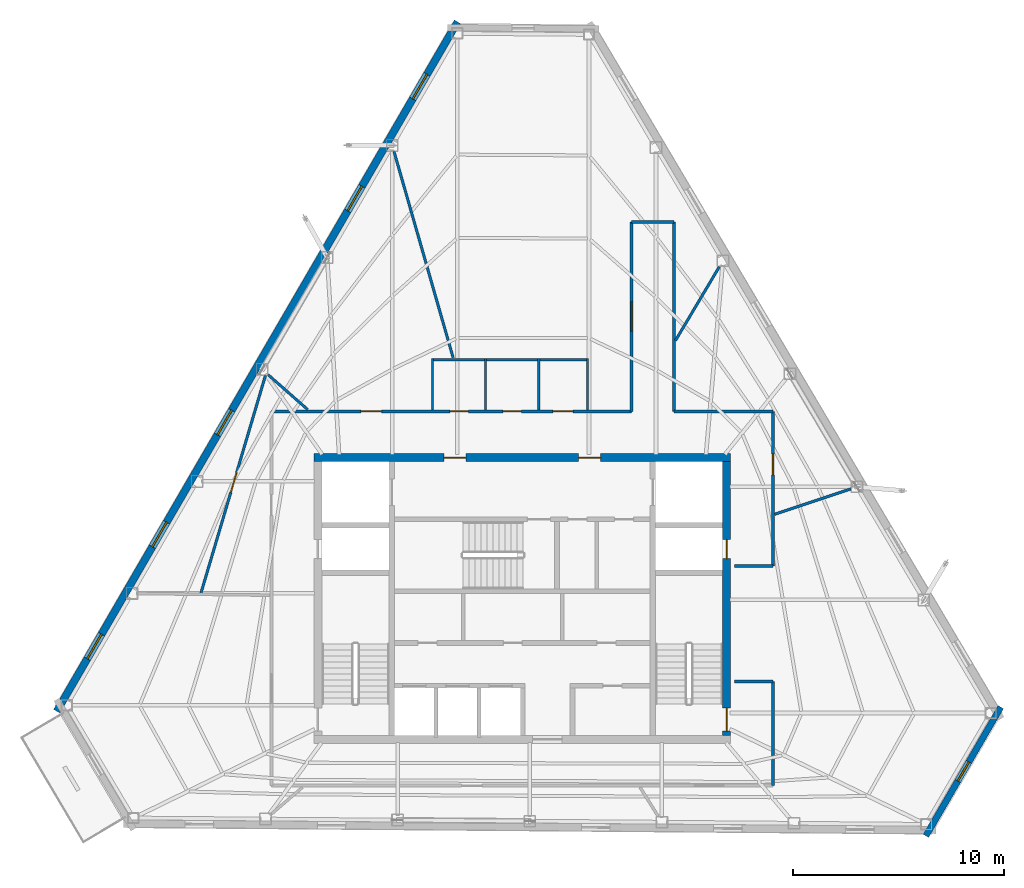
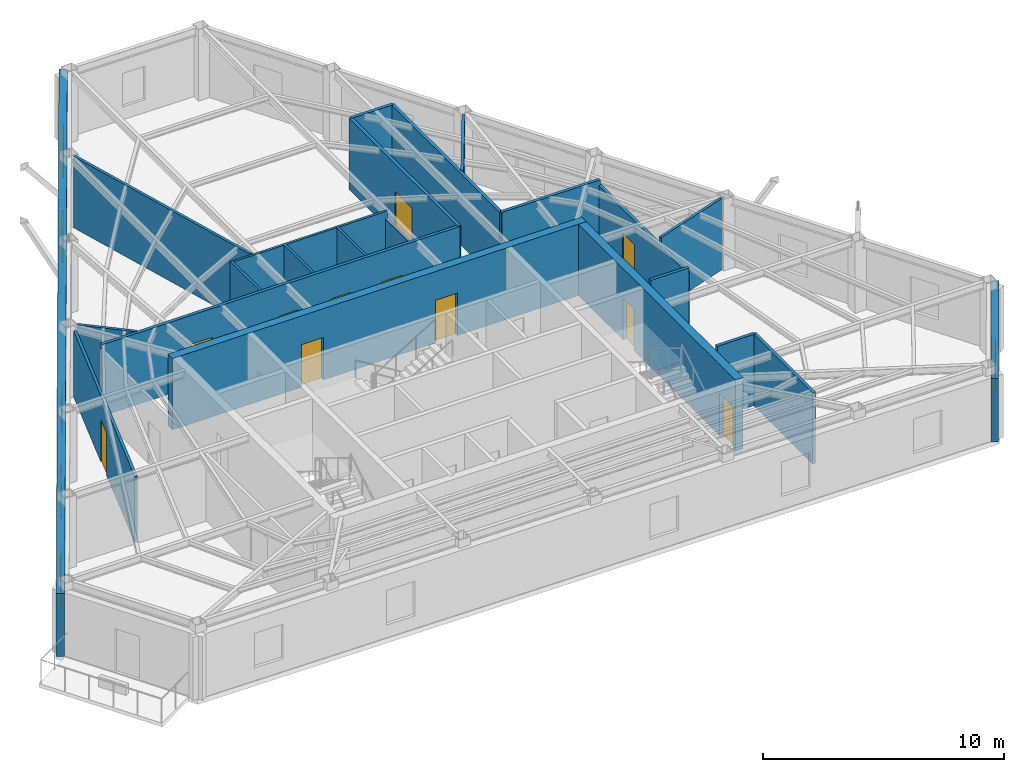
# One storey, part 8 of 10: 23 walls, 11 doors, 6 windows, 17 openings.
"""IFC4 building model written with IfcOpenShell, lengths in metres."""

from ifc_helpers import new_model, si_unit, direction, frame, frame_2d, origin, place, context, subcontext, project, spatial, rectangle, extrude, material, layer, layer_set, type_object, element, fill, save


model = new_model("IFC4")

# Units and contexts
model_context = context("Model", 3, precision=1e-05, world=origin(), true_north=direction((0.0, 1.0)))
body_context = subcontext(model_context, "Body", "Model", "MODEL_VIEW")
ifc_project = project(units=[si_unit("LENGTHUNIT", "METRE"), si_unit("AREAUNIT", "SQUARE_METRE"), si_unit("VOLUMEUNIT", "CUBIC_METRE"), si_unit("PLANEANGLEUNIT", "RADIAN"), si_unit("MASSUNIT", "GRAM", prefix="KILO")], contexts=[model_context])

# Site, building, storey
site_placement = place(None, origin())
site = spatial("IfcSite", under=ifc_project, at=site_placement, CompositionType="ELEMENT")
building_placement = place(site_placement, origin())
building = spatial("IfcBuilding", under=site, at=building_placement, Name="Kavelnor Concourse Tower", CompositionType="ELEMENT")
storey_placement = place(building_placement, frame((0.0, 0.0, 266.449951171875)))
storey = spatial("IfcBuildingStorey", under=building, at=storey_placement, Name="L67", CompositionType="ELEMENT", Elevation=266.449951171875)

# Wall, openings, doors
ifc_material_1 = material(Name="Concrete C50/60", Category="concrete")
ifc_layer_1 = layer(ifc_material_1, 0.3798828125, Name="Concrete C50/60")
ifc_layer_set_1 = layer_set([ifc_layer_1], Name="Concrete C50/60")
wall_type_1 = type_object("IfcWallType", Name="WL-CORE-Z4-380", PredefinedType="SOLIDWALL", material=ifc_layer_set_1)
wall_1_placement = place(storey_placement, frame((28.10009765625, 22.7900390625, 0.0), z_axis=(0.0, 0.0, 1.0), x_axis=(1.0, 0.0, 0.0)))
wall_1 = element("IfcWall", 1, at=wall_1_placement, inside=storey, type_object=wall_type_1, Name="L67 Central Core North Shear Wall", PredefinedType="SOLIDWALL", context=body_context, shape_type="SweptSolid", body=[
    extrude(rectangle(XDim=19.7998046875, YDim=0.3798828125, at=frame_2d((9.89990234375, 0.0))), origin(), (0.0, 0.0, 1.0), 3.610107421875),
])
opening_1_placement = place(wall_1_placement, frame((6.175048828125, 0.0, 0.0)))
opening_1 = element("IfcOpeningElement", 2, at=opening_1_placement, cuts=wall_1, Name="Opening FD-105", PredefinedType="OPENING", context=body_context, shape_type="SweptSolid", body=[
    extrude(rectangle(XDim=1.050048828125, YDim=2.14990234375, at=frame_2d((0.52490234375, 1.074951171875))), frame((0.0, 0.199951171875, 0.0), z_axis=(0.0, -1.0, 0.0), x_axis=(1.0, 0.0, 0.0)), (0.0, 0.0, 1.0), 0.39990234375),
])
opening_2_placement = place(wall_1_placement, frame((12.574951171875, 0.0, 0.0)))
opening_2 = element("IfcOpeningElement", 3, at=opening_2_placement, cuts=wall_1, Name="Opening FD-105", PredefinedType="OPENING", context=body_context, shape_type="SweptSolid", body=[
    extrude(rectangle(XDim=1.050048828125, YDim=2.14990234375, at=frame_2d((0.52490234375, 1.074951171875))), frame((0.0, 0.199951171875, 0.0), z_axis=(0.0, -1.0, 0.0), x_axis=(1.0, 0.0, 0.0)), (0.0, 0.0, 1.0), 0.39990234375),
])
ifc_material_2 = material(Name="Steel Grade 350", Category="steel")
door_type_1 = type_object("IfcDoorType", Name="DR-LOBBY-FIRE-1050", OperationType="NOTDEFINED", PredefinedType="DOOR", material=ifc_material_2)
door_1_placement = place(opening_1_placement, origin())
door_1 = element("IfcDoor", 4, at=door_1_placement, inside=storey, type_object=door_type_1, Name="L67 Emergency Lift Lobby West Door", OperationType="SINGLE_SWING_LEFT", OverallHeight=2.14990234375, OverallWidth=1.050048828125, PredefinedType="DOOR", context=body_context, shape_type="SweptSolid", body=[
    extrude(rectangle(XDim=1.050048828125, YDim=2.14990234375, at=frame_2d((0.52490234375, 1.074951171875))), frame((0.0, 0.02490234375, 0.0), z_axis=(0.0, -1.0, 0.0), x_axis=(1.0, 0.0, 0.0)), (0.0, 0.0, 1.0), 0.050048828125),
])
fill(opening_1, door_1)
door_2_placement = place(opening_2_placement, origin())
door_2 = element("IfcDoor", 5, at=door_2_placement, inside=storey, type_object=door_type_1, Name="L67 Emergency Lift Lobby East Door", OperationType="SINGLE_SWING_RIGHT", OverallHeight=2.14990234375, OverallWidth=1.050048828125, PredefinedType="DOOR", context=body_context, shape_type="SweptSolid", body=[
    extrude(rectangle(XDim=1.050048828125, YDim=2.14990234375, at=frame_2d((0.52490234375, 1.074951171875))), frame((0.0, 0.02490234375, 0.0), z_axis=(0.0, -1.0, 0.0), x_axis=(1.0, 0.0, 0.0)), (0.0, 0.0, 1.0), 0.050048828125),
])
fill(opening_2, door_2)

wall_2_placement = place(storey_placement, frame((47.7099609375, 9.60009765625, 0.0), z_axis=(0.0, 0.0, 1.0), x_axis=(0.0, 1.0, 0.0)))
wall_2 = element("IfcWall", 6, at=wall_2_placement, inside=storey, type_object=wall_type_1, Name="L67 Central Core East Shear Wall", PredefinedType="SOLIDWALL", context=body_context, shape_type="SweptSolid", body=[
    extrude(rectangle(XDim=13.0, YDim=0.3798828125, at=frame_2d((6.5, 0.0))), origin(), (0.0, 0.0, 1.0), 3.610107421875),
])
opening_3_placement = place(wall_2_placement, frame((0.199951171875, 0.0, 0.0)))
opening_3 = element("IfcOpeningElement", 7, at=opening_3_placement, cuts=wall_2, Name="Opening FD-110", PredefinedType="OPENING", context=body_context, shape_type="SweptSolid", body=[
    extrude(rectangle(XDim=1.10009765625, YDim=2.14990234375, at=frame_2d((0.550048828125, 1.074951171875))), frame((0.0, 0.199951171875, 0.0), z_axis=(0.0, -1.0, 0.0), x_axis=(1.0, 0.0, 0.0)), (0.0, 0.0, 1.0), 0.39990234375),
])
opening_4_placement = place(wall_2_placement, frame((8.39990234375, 0.0, 0.0)))
opening_4 = element("IfcOpeningElement", 8, at=opening_4_placement, cuts=wall_2, Name="Opening FD-090", PredefinedType="OPENING", context=body_context, shape_type="SweptSolid", body=[
    extrude(rectangle(XDim=0.89990234375, YDim=2.10009765625, at=frame_2d((0.449951171875, 1.050048828125))), frame((0.0, 0.199951171875, 0.0), z_axis=(0.0, -1.0, 0.0), x_axis=(1.0, 0.0, 0.0)), (0.0, 0.0, 1.0), 0.39990234375),
])
door_type_2 = type_object("IfcDoorType", Name="DR-RISER-FIRE-900", OperationType="NOTDEFINED", PredefinedType="DOOR", material=ifc_material_2)
door_3_placement = place(opening_4_placement, origin())
door_3 = element("IfcDoor", 9, at=door_3_placement, inside=storey, type_object=door_type_2, Name="L67 East Riser Access Door", OperationType="SINGLE_SWING_LEFT", OverallHeight=2.10009765625, OverallWidth=0.89990234375, PredefinedType="DOOR", context=body_context, shape_type="SweptSolid", body=[
    extrude(rectangle(XDim=0.89990234375, YDim=2.10009765625, at=frame_2d((0.449951171875, 1.050048828125))), frame((0.0, 0.02490234375, 0.0), z_axis=(0.0, -1.0, 0.0), x_axis=(1.0, 0.0, 0.0)), (0.0, 0.0, 1.0), 0.050048828125),
])
fill(opening_4, door_3)
door_type_3 = type_object("IfcDoorType", Name="DR-STAIR-FIRE-1100", OperationType="NOTDEFINED", PredefinedType="DOOR", material=ifc_material_2)
door_4_placement = place(opening_3_placement, origin())
door_4 = element("IfcDoor", 10, at=door_4_placement, inside=storey, type_object=door_type_3, Name="L67 Stair ST2 Fire Door", OperationType="SINGLE_SWING_RIGHT", OverallHeight=2.14990234375, OverallWidth=1.10009765625, PredefinedType="DOOR", context=body_context, shape_type="SweptSolid", body=[
    extrude(rectangle(XDim=1.10009765625, YDim=2.14990234375, at=frame_2d((0.550048828125, 1.074951171875))), frame((0.0, 0.02490234375, 0.0), z_axis=(0.0, -1.0, 0.0), x_axis=(1.0, 0.0, 0.0)), (0.0, 0.0, 1.0), 0.050048828125),
])
fill(opening_3, door_4)

# Wall, opening, window
ifc_material_3 = material(Name="Buff ironspot clay face brick masonry", Category="masonry")
ifc_layer_2 = layer(ifc_material_3, 0.300048828125, Name="Buff ironspot clay face brick masonry")
ifc_layer_set_2 = layer_set([ifc_layer_2], Name="Buff ironspot clay face brick masonry")
wall_type_2 = type_object("IfcWallType", Name="WL-EXT-BUFF-BRICK-FOLD-300", PredefinedType="STANDARD", material=ifc_layer_set_2)
wall_3_placement = place(storey_placement, frame((60.72900390625, 10.9423828125, 0.0), z_axis=(0.0, 0.0, 1.0), x_axis=(-0.502595863652, -0.864521484892, 0.0)))
wall_3 = element("IfcWall", 11, at=wall_3_placement, inside=storey, type_object=wall_type_2, Name="L67 Exterior Brick Facade Wall E4", PredefinedType="STANDARD", context=body_context, shape_type="SweptSolid", body=[
    extrude(rectangle(XDim=7.07421875, YDim=0.300048828125, at=frame_2d((3.537109375, 0.0))), origin(), (0.0, 0.0, 1.0), 3.196044921875),
])
opening_5_placement = place(wall_3_placement, frame((3.011962890625, 0.0, 0.64990234375)))
opening_5 = element("IfcOpeningElement", 12, at=opening_5_placement, cuts=wall_3, Name="Opening W-06", PredefinedType="OPENING", context=body_context, shape_type="SweptSolid", body=[
    extrude(rectangle(XDim=1.050048828125, YDim=1.699951171875, at=frame_2d((0.52490234375, 0.85009765625))), frame((0.0, 0.16015625, 0.0), z_axis=(0.0, -1.0, 0.0), x_axis=(1.0, 0.0, 0.0)), (0.0, 0.0, 1.0), 0.320068359375),
])
ifc_material_4 = material(Name="Double low-E argon insulated glazing", Category="glass")
window_type_1 = type_object("IfcWindowType", Name="WIN-FOLD-1050", PartitioningType="SINGLE_PANEL", PredefinedType="WINDOW", material=ifc_material_4)
window_1_placement = place(opening_5_placement, origin())
window_1 = element("IfcWindow", 13, at=window_1_placement, inside=storey, type_object=window_type_1, Name="L67 Chamfer-Fold Facet Window C2", OverallHeight=1.699951171875, OverallWidth=1.050048828125, PartitioningType="SINGLE_PANEL", PredefinedType="WINDOW", context=body_context, shape_type="SweptSolid", body=[
    extrude(rectangle(XDim=1.050048828125, YDim=1.699951171875, at=frame_2d((0.52490234375, 0.85009765625))), frame((0.0, 0.030029296875, 0.0), z_axis=(0.0, -1.0, 0.0), x_axis=(1.0, 0.0, 0.0)), (0.0, 0.0, 1.0), 0.06005859375),
])
fill(opening_5, window_1)

# Wall, openings, windows
ifc_material_5 = material(Name="Red-ochre clay face brick masonry", Category="masonry")
ifc_layer_3 = layer(ifc_material_5, 0.35009765625, Name="Red-ochre clay face brick masonry")
ifc_layer_set_3 = layer_set([ifc_layer_3], Name="Red-ochre clay face brick masonry")
wall_type_3 = type_object("IfcWallType", Name="WL-EXT-RED-BRICK-PIER-350", PredefinedType="STANDARD", material=ifc_layer_set_3)
wall_4_placement = place(storey_placement, frame((15.893798828125, 10.7451171875, 0.0), z_axis=(0.0, 0.0, 1.0), x_axis=(0.502581466224, 0.864529854781, 0.0)))
wall_4 = element("IfcWall", 14, at=wall_4_placement, inside=storey, type_object=wall_type_3, Name="L67 Exterior Brick Facade Wall E1", PredefinedType="STANDARD", context=body_context, shape_type="SweptSolid", body=[
    extrude(rectangle(XDim=37.872802734375, YDim=0.35009765625, at=frame_2d((18.9365234375, 0.0))), origin(), (0.0, 0.0, 1.0), 3.196044921875),
])
opening_6_placement = place(wall_4_placement, frame((33.64306640625, 0.0, 0.64990234375)))
opening_6 = element("IfcOpeningElement", 15, at=opening_6_placement, cuts=wall_4, Name="Opening W-04", PredefinedType="OPENING", context=body_context, shape_type="SweptSolid", body=[
    extrude(rectangle(XDim=1.35009765625, YDim=1.75, at=frame_2d((0.675048828125, 0.875))), frame((0.0, 0.18505859375, 0.0), z_axis=(0.0, -1.0, 0.0), x_axis=(1.0, 0.0, 0.0)), (0.0, 0.0, 1.0), 0.3701171875),
])
opening_7_placement = place(wall_4_placement, frame((27.490966796875, 0.0, 0.64990234375)))
opening_7 = element("IfcOpeningElement", 16, at=opening_7_placement, cuts=wall_4, Name="Opening W-04", PredefinedType="OPENING", context=body_context, shape_type="SweptSolid", body=[
    extrude(rectangle(XDim=1.35009765625, YDim=1.75, at=frame_2d((0.675048828125, 0.875))), frame((0.0, 0.18505859375, 0.0), z_axis=(0.0, -1.0, 0.0), x_axis=(1.0, 0.0, 0.0)), (0.0, 0.0, 1.0), 0.3701171875),
])
opening_8_placement = place(wall_4_placement, frame((15.186767578125, 0.0, 0.64990234375)))
opening_8 = element("IfcOpeningElement", 17, at=opening_8_placement, cuts=wall_4, Name="Opening W-04", PredefinedType="OPENING", context=body_context, shape_type="SweptSolid", body=[
    extrude(rectangle(XDim=1.35009765625, YDim=1.75, at=frame_2d((0.675048828125, 0.875))), frame((0.0, 0.18505859375, 0.0), z_axis=(0.0, -1.0, 0.0), x_axis=(1.0, 0.0, 0.0)), (0.0, 0.0, 1.0), 0.3701171875),
])
opening_9_placement = place(wall_4_placement, frame((9.03466796875, 0.0, 0.64990234375)))
opening_9 = element("IfcOpeningElement", 18, at=opening_9_placement, cuts=wall_4, Name="Opening W-04", PredefinedType="OPENING", context=body_context, shape_type="SweptSolid", body=[
    extrude(rectangle(XDim=1.35009765625, YDim=1.75, at=frame_2d((0.675048828125, 0.875))), frame((0.0, 0.18505859375, 0.0), z_axis=(0.0, -1.0, 0.0), x_axis=(1.0, 0.0, 0.0)), (0.0, 0.0, 1.0), 0.3701171875),
])
opening_10_placement = place(wall_4_placement, frame((2.882568359375, 0.0, 0.64990234375)))
opening_10 = element("IfcOpeningElement", 19, at=opening_10_placement, cuts=wall_4, Name="Opening W-04", PredefinedType="OPENING", context=body_context, shape_type="SweptSolid", body=[
    extrude(rectangle(XDim=1.35009765625, YDim=1.75, at=frame_2d((0.675048828125, 0.875))), frame((0.0, 0.18505859375, 0.0), z_axis=(0.0, -1.0, 0.0), x_axis=(1.0, 0.0, 0.0)), (0.0, 0.0, 1.0), 0.3701171875),
])
window_type_2 = type_object("IfcWindowType", Name="WIN-PIER-Z4-1350", PartitioningType="SINGLE_PANEL", PredefinedType="WINDOW", material=ifc_material_4)
window_2_placement = place(opening_6_placement, origin())
window_2 = element("IfcWindow", 20, at=window_2_placement, inside=storey, type_object=window_type_2, Name="L67 Deep-Set Brick Pier Window F0-B0", OverallHeight=1.75, OverallWidth=1.35009765625, PartitioningType="SINGLE_PANEL", PredefinedType="WINDOW", context=body_context, shape_type="SweptSolid", body=[
    extrude(rectangle(XDim=1.35009765625, YDim=1.75, at=frame_2d((0.675048828125, 0.875))), frame((0.0, 0.030029296875, 0.0), z_axis=(0.0, -1.0, 0.0), x_axis=(1.0, 0.0, 0.0)), (0.0, 0.0, 1.0), 0.06005859375),
])
fill(opening_6, window_2)
window_3_placement = place(opening_7_placement, origin())
window_3 = element("IfcWindow", 21, at=window_3_placement, inside=storey, type_object=window_type_2, Name="L67 Deep-Set Brick Pier Window F0-B1", OverallHeight=1.75, OverallWidth=1.35009765625, PartitioningType="SINGLE_PANEL", PredefinedType="WINDOW", context=body_context, shape_type="SweptSolid", body=[
    extrude(rectangle(XDim=1.35009765625, YDim=1.75, at=frame_2d((0.675048828125, 0.875))), frame((0.0, 0.030029296875, 0.0), z_axis=(0.0, -1.0, 0.0), x_axis=(1.0, 0.0, 0.0)), (0.0, 0.0, 1.0), 0.06005859375),
])
fill(opening_7, window_3)
window_4_placement = place(opening_8_placement, origin())
window_4 = element("IfcWindow", 22, at=window_4_placement, inside=storey, type_object=window_type_2, Name="L67 Deep-Set Brick Pier Window F0-B3", OverallHeight=1.75, OverallWidth=1.35009765625, PartitioningType="SINGLE_PANEL", PredefinedType="WINDOW", context=body_context, shape_type="SweptSolid", body=[
    extrude(rectangle(XDim=1.35009765625, YDim=1.75, at=frame_2d((0.675048828125, 0.875))), frame((0.0, 0.030029296875, 0.0), z_axis=(0.0, -1.0, 0.0), x_axis=(1.0, 0.0, 0.0)), (0.0, 0.0, 1.0), 0.06005859375),
])
fill(opening_8, window_4)
window_5_placement = place(opening_9_placement, origin())
window_5 = element("IfcWindow", 23, at=window_5_placement, inside=storey, type_object=window_type_2, Name="L67 Deep-Set Brick Pier Window F0-B4", OverallHeight=1.75, OverallWidth=1.35009765625, PartitioningType="SINGLE_PANEL", PredefinedType="WINDOW", context=body_context, shape_type="SweptSolid", body=[
    extrude(rectangle(XDim=1.35009765625, YDim=1.75, at=frame_2d((0.675048828125, 0.875))), frame((0.0, 0.030029296875, 0.0), z_axis=(0.0, -1.0, 0.0), x_axis=(1.0, 0.0, 0.0)), (0.0, 0.0, 1.0), 0.06005859375),
])
fill(opening_9, window_5)
window_6_placement = place(opening_10_placement, origin())
window_6 = element("IfcWindow", 24, at=window_6_placement, inside=storey, type_object=window_type_2, Name="L67 Deep-Set Brick Pier Window F0-B5", OverallHeight=1.75, OverallWidth=1.35009765625, PartitioningType="SINGLE_PANEL", PredefinedType="WINDOW", context=body_context, shape_type="SweptSolid", body=[
    extrude(rectangle(XDim=1.35009765625, YDim=1.75, at=frame_2d((0.675048828125, 0.875))), frame((0.0, 0.030029296875, 0.0), z_axis=(0.0, -1.0, 0.0), x_axis=(1.0, 0.0, 0.0)), (0.0, 0.0, 1.0), 0.06005859375),
])
fill(opening_10, window_6)

# Wall, opening, door
ifc_material_6 = material(Name="Gypsum plasterboard on light-gauge steel studs", Category="steel")
ifc_layer_4 = layer(ifc_material_6, 0.14501953125, Name="Gypsum plasterboard on light-gauge steel studs")
ifc_layer_set_4 = layer_set([ifc_layer_4], Name="Gypsum plasterboard on light-gauge steel studs")
wall_type_4 = type_object("IfcWallType", Name="WL-INT-CORR-145", PredefinedType="PARTITIONING", material=ifc_layer_set_4)
wall_5_placement = place(storey_placement, frame((43.199951171875, 24.989990234375, 0.0), z_axis=(0.0, 0.0, 1.0), x_axis=(0.0, 1.0, 0.0)))
wall_5 = element("IfcWall", 25, at=wall_5_placement, inside=storey, type_object=wall_type_4, Name="L67 Corridor Wall WL-L67-CR-01", PredefinedType="PARTITIONING", context=body_context, shape_type="SweptSolid", body=[
    extrude(rectangle(XDim=8.99853515625, YDim=0.14501953125, at=frame_2d((4.499267578125, 0.0))), origin(), (0.0, 0.0, 1.0), 3.610107421875),
])
opening_11_placement = place(wall_5_placement, frame((3.79931640625, 0.0, 0.0)))
opening_11 = element("IfcOpeningElement", 26, at=opening_11_placement, cuts=wall_5, Name="Opening SD-140", PredefinedType="OPENING", context=body_context, shape_type="SweptSolid", body=[
    extrude(rectangle(XDim=1.39990234375, YDim=2.199951171875, at=frame_2d((0.699951171875, 1.10009765625))), frame((0.0, 0.08251953125, 0.0), z_axis=(0.0, -1.0, 0.0), x_axis=(1.0, 0.0, 0.0)), (0.0, 0.0, 1.0), 0.1650390625),
])
ifc_material_7 = material(Name="Solid-core hardwood timber", Category="wood")
door_type_4 = type_object("IfcDoorType", Name="DR-SUITE-ENTRY-1400", OperationType="NOTDEFINED", PredefinedType="DOOR", material=ifc_material_7)
door_5_placement = place(opening_11_placement, origin())
door_5 = element("IfcDoor", 27, at=door_5_placement, inside=storey, type_object=door_type_4, Name="L67 Architectural Design Studio 02 Door", OperationType="SINGLE_SWING_RIGHT", OverallHeight=2.199951171875, OverallWidth=1.39990234375, PredefinedType="DOOR", context=body_context, shape_type="SweptSolid", body=[
    extrude(rectangle(XDim=1.39990234375, YDim=2.199951171875, at=frame_2d((0.699951171875, 1.10009765625))), frame((0.0, 0.02490234375, 0.0), z_axis=(0.0, -1.0, 0.0), x_axis=(1.0, 0.0, 0.0)), (0.0, 0.0, 1.0), 0.050048828125),
])
fill(opening_11, door_5)

# Walls
wall_6_placement = place(storey_placement, frame((43.199951171875, 33.988525390625, 0.0), z_axis=(0.0, 0.0, 1.0), x_axis=(1.0, 0.0, 0.0)))
element("IfcWall", 28, at=wall_6_placement, inside=storey, type_object=wall_type_4, Name="L67 Corridor Wall WL-L67-CR-02", PredefinedType="PARTITIONING", context=body_context, shape_type="SweptSolid", body=[
    extrude(rectangle(XDim=2.0, YDim=0.14501953125, at=frame_2d((1.0, 0.0))), origin(), (0.0, 0.0, 1.0), 3.610107421875),
])
wall_7_placement = place(storey_placement, frame((45.199951171875, 33.988525390625, 0.0), z_axis=(0.0, 0.0, 1.0), x_axis=(0.0, -1.0, 0.0)))
element("IfcWall", 29, at=wall_7_placement, inside=storey, type_object=wall_type_4, Name="L67 Corridor Wall WL-L67-CR-03", PredefinedType="PARTITIONING", context=body_context, shape_type="SweptSolid", body=[
    extrude(rectangle(XDim=8.99853515625, YDim=0.14501953125, at=frame_2d((4.499267578125, 0.0))), origin(), (0.0, 0.0, 1.0), 3.610107421875),
])
wall_8_placement = place(storey_placement, frame((45.199951171875, 24.989990234375, 0.0), z_axis=(0.0, 0.0, 1.0), x_axis=(1.0, 0.0, 0.0)))
element("IfcWall", 30, at=wall_8_placement, inside=storey, type_object=wall_type_4, Name="L67 Corridor Wall WL-L67-CR-04", PredefinedType="PARTITIONING", context=body_context, shape_type="SweptSolid", body=[
    extrude(rectangle(XDim=4.7099609375, YDim=0.14501953125, at=frame_2d((2.35498046875, 0.0))), origin(), (0.0, 0.0, 1.0), 3.610107421875),
])

# Wall, opening, door
wall_9_placement = place(storey_placement, frame((49.909912109375, 24.989990234375, 0.0), z_axis=(0.0, 0.0, 1.0), x_axis=(0.0, -1.0, 0.0)))
wall_9 = element("IfcWall", 31, at=wall_9_placement, inside=storey, type_object=wall_type_4, Name="L67 Corridor Wall WL-L67-CR-05", PredefinedType="PARTITIONING", context=body_context, shape_type="SweptSolid", body=[
    extrude(rectangle(XDim=7.340087890625, YDim=0.14501953125, at=frame_2d((3.669921875, 0.0))), origin(), (0.0, 0.0, 1.0), 3.34912109375),
])
opening_12_placement = place(wall_9_placement, frame((2.03759765625, 0.0, 0.0)))
opening_12 = element("IfcOpeningElement", 32, at=opening_12_placement, cuts=wall_9, Name="Opening OD-098", PredefinedType="OPENING", context=body_context, shape_type="SweptSolid", body=[
    extrude(rectangle(XDim=0.97998046875, YDim=2.14990234375, at=frame_2d((0.489990234375, 1.074951171875))), frame((0.0, 0.08251953125, 0.0), z_axis=(0.0, -1.0, 0.0), x_axis=(1.0, 0.0, 0.0)), (0.0, 0.0, 1.0), 0.1650390625),
])
door_type_5 = type_object("IfcDoorType", Name="DR-OFFICE-980", OperationType="NOTDEFINED", PredefinedType="DOOR", material=ifc_material_7)
door_6_placement = place(opening_12_placement, origin())
door_6 = element("IfcDoor", 33, at=door_6_placement, inside=storey, type_object=door_type_5, Name="L67 Client Concierge 01 Door", OperationType="SINGLE_SWING_LEFT", OverallHeight=2.14990234375, OverallWidth=0.97998046875, PredefinedType="DOOR", context=body_context, shape_type="SweptSolid", body=[
    extrude(rectangle(XDim=0.97998046875, YDim=2.14990234375, at=frame_2d((0.489990234375, 1.074951171875))), frame((0.0, 0.02490234375, 0.0), z_axis=(0.0, -1.0, 0.0), x_axis=(1.0, 0.0, 0.0)), (0.0, 0.0, 1.0), 0.050048828125),
])
fill(opening_12, door_6)

# Walls
for number, where, z_axis, x_axis, name in (
    (34, (49.909912109375, 17.64990234375, 0.0), (0.0, 0.0, 1.0), (-1.0, 0.0, 0.0), "L67 Corridor Wall WL-L67-CR-06"),
    (35, (48.090087890625, 12.14990234375, 0.0), (0.0, 0.0, 1.0), (1.0, 0.0, 0.0), "L67 Corridor Wall WL-L67-CR-07"),
):
    element("IfcWall", number, at=place(storey_placement, frame(where, z_axis=z_axis, x_axis=x_axis)), inside=storey, type_object=wall_type_4, Name=name, PredefinedType="PARTITIONING", context=body_context, shape_type="SweptSolid", body=[
        extrude(rectangle(XDim=1.81982421875, YDim=0.14501953125, at=frame_2d((0.909912109375, 0.0))), origin(), (0.0, 0.0, 1.0), 3.610107421875),
    ])
wall_10_placement = place(storey_placement, frame((49.909912109375, 12.14990234375, 0.0), z_axis=(0.0, 0.0, 1.0), x_axis=(0.0, -1.0, 0.0)))
element("IfcWall", 36, at=wall_10_placement, inside=storey, type_object=wall_type_4, Name="L67 Corridor Wall WL-L67-CR-08", PredefinedType="PARTITIONING", context=body_context, shape_type="SweptSolid", body=[
    extrude(rectangle(XDim=4.93994140625, YDim=0.14501953125, at=frame_2d((2.469970703125, 0.0))), origin(), (0.0, 0.0, 1.0), 3.610107421875),
])

# Wall, openings, doors
wall_11_placement = place(storey_placement, frame((26.090087890625, 24.989990234375, 0.0), z_axis=(0.0, 0.0, 1.0), x_axis=(1.0, 0.0, 0.0)))
wall_11 = element("IfcWall", 37, at=wall_11_placement, inside=storey, type_object=wall_type_4, Name="L67 Corridor Wall WL-L67-CR-11", PredefinedType="PARTITIONING", context=body_context, shape_type="SweptSolid", body=[
    extrude(rectangle(XDim=17.10986328125, YDim=0.14501953125, at=frame_2d((8.554931640625, 0.0))), origin(), (0.0, 0.0, 1.0), 3.610107421875),
])
opening_13_placement = place(wall_11_placement, frame((8.469970703125, 0.0, 0.0)))
opening_13 = element("IfcOpeningElement", 38, at=opening_13_placement, cuts=wall_11, Name="Opening WD-088", PredefinedType="OPENING", context=body_context, shape_type="SweptSolid", body=[
    extrude(rectangle(XDim=0.8798828125, YDim=2.10009765625, at=frame_2d((0.43994140625, 1.050048828125))), frame((0.0, 0.08251953125, 0.0), z_axis=(0.0, -1.0, 0.0), x_axis=(1.0, 0.0, 0.0)), (0.0, 0.0, 1.0), 0.1650390625),
])
opening_14_placement = place(wall_11_placement, frame((10.989990234375, 0.0, 0.0)))
opening_14 = element("IfcOpeningElement", 39, at=opening_14_placement, cuts=wall_11, Name="Opening WD-088", PredefinedType="OPENING", context=body_context, shape_type="SweptSolid", body=[
    extrude(rectangle(XDim=0.8798828125, YDim=2.10009765625, at=frame_2d((0.43994140625, 1.050048828125))), frame((0.0, 0.08251953125, 0.0), z_axis=(0.0, -1.0, 0.0), x_axis=(1.0, 0.0, 0.0)), (0.0, 0.0, 1.0), 0.1650390625),
])
opening_15_placement = place(wall_11_placement, frame((13.3701171875, 0.0, 0.0)))
opening_15 = element("IfcOpeningElement", 40, at=opening_15_placement, cuts=wall_11, Name="Opening WD-096", PredefinedType="OPENING", context=body_context, shape_type="SweptSolid", body=[
    extrude(rectangle(XDim=0.9599609375, YDim=2.10009765625, at=frame_2d((0.47998046875, 1.050048828125))), frame((0.0, 0.08251953125, 0.0), z_axis=(0.0, -1.0, 0.0), x_axis=(1.0, 0.0, 0.0)), (0.0, 0.0, 1.0), 0.1650390625),
])
opening_16_placement = place(wall_11_placement, frame((4.252685546875, 0.0, 0.0)))
opening_16 = element("IfcOpeningElement", 41, at=opening_16_placement, cuts=wall_11, Name="Opening OD-098", PredefinedType="OPENING", context=body_context, shape_type="SweptSolid", body=[
    extrude(rectangle(XDim=0.97998046875, YDim=2.14990234375, at=frame_2d((0.489990234375, 1.074951171875))), frame((0.0, 0.08251953125, 0.0), z_axis=(0.0, -1.0, 0.0), x_axis=(1.0, 0.0, 0.0)), (0.0, 0.0, 1.0), 0.1650390625),
])
door_7_placement = place(opening_16_placement, origin())
door_7 = element("IfcDoor", 42, at=door_7_placement, inside=storey, type_object=door_type_5, Name="L67 Executive Dining Room 03 Door", OperationType="SINGLE_SWING_LEFT", OverallHeight=2.14990234375, OverallWidth=0.97998046875, PredefinedType="DOOR", context=body_context, shape_type="SweptSolid", body=[
    extrude(rectangle(XDim=0.97998046875, YDim=2.14990234375, at=frame_2d((0.489990234375, 1.074951171875))), frame((0.0, 0.02490234375, 0.0), z_axis=(0.0, -1.0, 0.0), x_axis=(1.0, 0.0, 0.0)), (0.0, 0.0, 1.0), 0.050048828125),
])
fill(opening_16, door_7)
door_type_6 = type_object("IfcDoorType", Name="DR-WC-ACC-960", OperationType="NOTDEFINED", PredefinedType="DOOR", material=ifc_material_7)
door_8_placement = place(opening_15_placement, origin())
door_8 = element("IfcDoor", 43, at=door_8_placement, inside=storey, type_object=door_type_6, Name="L67 Accessible WC Door", OperationType="SINGLE_SWING_RIGHT", OverallHeight=2.10009765625, OverallWidth=0.9599609375, PredefinedType="DOOR", context=body_context, shape_type="SweptSolid", body=[
    extrude(rectangle(XDim=0.9599609375, YDim=2.10009765625, at=frame_2d((0.47998046875, 1.050048828125))), frame((0.0, 0.02490234375, 0.0), z_axis=(0.0, -1.0, 0.0), x_axis=(1.0, 0.0, 0.0)), (0.0, 0.0, 1.0), 0.050048828125),
])
fill(opening_15, door_8)
door_type_7 = type_object("IfcDoorType", Name="DR-WC-STD-880", OperationType="NOTDEFINED", PredefinedType="DOOR", material=ifc_material_7)
door_9_placement = place(opening_13_placement, origin())
door_9 = element("IfcDoor", 44, at=door_9_placement, inside=storey, type_object=door_type_7, Name="L67 Male WC Door", OperationType="SINGLE_SWING_RIGHT", OverallHeight=2.10009765625, OverallWidth=0.8798828125, PredefinedType="DOOR", context=body_context, shape_type="SweptSolid", body=[
    extrude(rectangle(XDim=0.8798828125, YDim=2.10009765625, at=frame_2d((0.43994140625, 1.050048828125))), frame((0.0, 0.02490234375, 0.0), z_axis=(0.0, -1.0, 0.0), x_axis=(1.0, 0.0, 0.0)), (0.0, 0.0, 1.0), 0.050048828125),
])
fill(opening_13, door_9)
door_10_placement = place(opening_14_placement, origin())
door_10 = element("IfcDoor", 45, at=door_10_placement, inside=storey, type_object=door_type_7, Name="L67 Female WC Door", OperationType="SINGLE_SWING_LEFT", OverallHeight=2.10009765625, OverallWidth=0.8798828125, PredefinedType="DOOR", context=body_context, shape_type="SweptSolid", body=[
    extrude(rectangle(XDim=0.8798828125, YDim=2.10009765625, at=frame_2d((0.43994140625, 1.050048828125))), frame((0.0, 0.02490234375, 0.0), z_axis=(0.0, -1.0, 0.0), x_axis=(1.0, 0.0, 0.0)), (0.0, 0.0, 1.0), 0.050048828125),
])
fill(opening_14, door_10)

# Walls
ifc_layer_5 = layer(ifc_material_6, 0.125, Name="Gypsum plasterboard on light-gauge steel studs")
ifc_layer_set_5 = layer_set([ifc_layer_5], Name="Gypsum plasterboard on light-gauge steel studs")
wall_type_5 = type_object("IfcWallType", Name="WL-INT-SUITE-125", PredefinedType="PARTITIONING", material=ifc_layer_set_5)
wall_12_placement = place(storey_placement, frame((49.990478515625, 20.101318359375, 0.0), z_axis=(0.0, 0.0, 1.0), x_axis=(0.948580747424, 0.316535251774, 0.0)))
element("IfcWall", 46, at=wall_12_placement, inside=storey, type_object=wall_type_5, Name="L67 Radial Suite Partition 01", PredefinedType="PARTITIONING", context=body_context, shape_type="SweptSolid", body=[
    extrude(rectangle(XDim=3.81103515625, YDim=0.125, at=frame_2d((1.905517578125, 0.0))), origin(), (0.0, 0.0, 1.0), 3.610107421875),
])
wall_13_placement = place(storey_placement, frame((45.280517578125, 28.35400390625, 0.0), z_axis=(0.0, 0.0, 1.0), x_axis=(0.510808625208, 0.859694450612, 0.0)))
element("IfcWall", 47, at=wall_13_placement, inside=storey, type_object=wall_type_5, Name="L67 Radial Suite Partition 02", PredefinedType="PARTITIONING", context=body_context, shape_type="SweptSolid", body=[
    extrude(rectangle(XDim=4.075439453125, YDim=0.125, at=frame_2d((2.03759765625, 0.0))), origin(), (0.0, 0.0, 1.0), 3.610107421875),
])
wall_14_placement = place(storey_placement, frame((34.71923828125, 27.5400390625, 0.0), z_axis=(0.0, 0.0, 1.0), x_axis=(-0.275667544418, 0.961253038983, 0.0)))
element("IfcWall", 48, at=wall_14_placement, inside=storey, type_object=wall_type_5, Name="L67 Radial Suite Partition 03", PredefinedType="PARTITIONING", context=body_context, shape_type="SweptSolid", body=[
    extrude(rectangle(XDim=10.185791015625, YDim=0.125, at=frame_2d((5.0927734375, 0.0))), origin(), (0.0, 0.0, 1.0), 3.610107421875),
])
wall_15_placement = place(storey_placement, frame((27.81494140625, 25.070556640625, 0.0), z_axis=(0.0, 0.0, 1.0), x_axis=(-0.750425677114, 0.660954841973, 0.0)))
element("IfcWall", 49, at=wall_15_placement, inside=storey, type_object=wall_type_5, Name="L67 Radial Suite Partition 04", PredefinedType="PARTITIONING", context=body_context, shape_type="SweptSolid", body=[
    extrude(rectangle(XDim=2.5078125, YDim=0.125, at=frame_2d((1.25390625, 0.0))), origin(), (0.0, 0.0, 1.0), 3.610107421875),
])

# Wall, opening, door
wall_16_placement = place(storey_placement, frame((25.805908203125, 26.693603515625, 0.0), z_axis=(0.0, 0.0, 1.0), x_axis=(-0.28412826647, -0.958786278684, 0.0)))
wall_16 = element("IfcWall", 50, at=wall_16_placement, inside=storey, type_object=wall_type_5, Name="L67 Suite Subdivision Partition 04", PredefinedType="PARTITIONING", context=body_context, shape_type="SweptSolid", body=[
    extrude(rectangle(XDim=10.8232421875, YDim=0.125, at=frame_2d((5.41162109375, 0.0))), origin(), (0.0, 0.0, 1.0), 3.34912109375),
])
opening_17_placement = place(wall_16_placement, frame((4.81396484375, 0.0, 0.0)))
opening_17 = element("IfcOpeningElement", 51, at=opening_17_placement, cuts=wall_16, Name="Opening OD-098", PredefinedType="OPENING", context=body_context, shape_type="SweptSolid", body=[
    extrude(rectangle(XDim=0.97998046875, YDim=2.14990234375, at=frame_2d((0.489990234375, 1.074951171875))), frame((0.0, 0.072509765625, 0.0), z_axis=(0.0, -1.0, 0.0), x_axis=(1.0, 0.0, 0.0)), (0.0, 0.0, 1.0), 0.14501953125),
])
door_11_placement = place(opening_17_placement, origin())
door_11 = element("IfcDoor", 52, at=door_11_placement, inside=storey, type_object=door_type_5, Name="L67 Client Concierge 05 Door", OperationType="SINGLE_SWING_LEFT", OverallHeight=2.14990234375, OverallWidth=0.97998046875, PredefinedType="DOOR", context=body_context, shape_type="SweptSolid", body=[
    extrude(rectangle(XDim=0.97998046875, YDim=2.14990234375, at=frame_2d((0.489990234375, 1.074951171875))), frame((0.0, 0.02490234375, 0.0), z_axis=(0.0, -1.0, 0.0), x_axis=(1.0, 0.0, 0.0)), (0.0, 0.0, 1.0), 0.050048828125),
])
fill(opening_17, door_11)

# Walls
ifc_layer_6 = layer(ifc_material_6, 0.110107421875, Name="Gypsum plasterboard on light-gauge steel studs")
ifc_layer_set_6 = layer_set([ifc_layer_6], Name="Gypsum plasterboard on light-gauge steel studs")
wall_type_6 = type_object("IfcWallType", Name="WL-INT-WC-110", PredefinedType="PLUMBINGWALL", material=ifc_layer_set_6)
for number, where, z_axis, x_axis, name in (
    (53, (33.739990234375, 25.06005859375, 0.0), (0.0, 0.0, 1.0), (0.0, 1.0, 0.0), "L67 Sanitary Partition WL-L67-WC-W"),
    (54, (36.260009765625, 25.06005859375, 0.0), (0.0, 0.0, 1.0), (0.0, 1.0, 0.0), "L67 Sanitary Partition WL-L67-WC-D1"),
    (55, (38.780029296875, 25.06005859375, 0.0), (0.0, 0.0, 1.0), (0.0, 1.0, 0.0), "L67 Sanitary Partition WL-L67-WC-D2"),
):
    element("IfcWall", number, at=place(storey_placement, frame(where, z_axis=z_axis, x_axis=x_axis)), inside=storey, type_object=wall_type_6, Name=name, PredefinedType="PLUMBINGWALL", context=body_context, shape_type="SweptSolid", body=[
        extrude(rectangle(XDim=2.43994140625, YDim=0.110107421875, at=frame_2d((1.219970703125, 0.0))), origin(), (0.0, 0.0, 1.0), 3.610107421875),
    ])
wall_17_placement = place(storey_placement, frame((41.10009765625, 25.06005859375, 0.0), z_axis=(0.0, 0.0, 1.0), x_axis=(0.0, 1.0, 0.0)))
element("IfcWall", 56, at=wall_17_placement, inside=storey, type_object=wall_type_6, Name="L67 Sanitary Partition WL-L67-WC-E", PredefinedType="PLUMBINGWALL", context=body_context, shape_type="SweptSolid", body=[
    extrude(rectangle(XDim=2.43994140625, YDim=0.110107421875, at=frame_2d((1.219970703125, 0.0))), origin(), (0.0, 0.0, 1.0), 3.24609375),
])
wall_18_placement = place(storey_placement, frame((33.68994140625, 27.43994140625, 0.0), z_axis=(0.0, 0.0, 1.0), x_axis=(1.0, 0.0, 0.0)))
element("IfcWall", 57, at=wall_18_placement, inside=storey, type_object=wall_type_6, Name="L67 Sanitary Partition WL-L67-WC-N", PredefinedType="PLUMBINGWALL", context=body_context, shape_type="SweptSolid", body=[
    extrude(rectangle(XDim=7.4599609375, YDim=0.110107421875, at=frame_2d((3.72998046875, 0.0))), origin(), (0.0, 0.0, 1.0), 3.610107421875),
])

save(model, "model.ifc")
